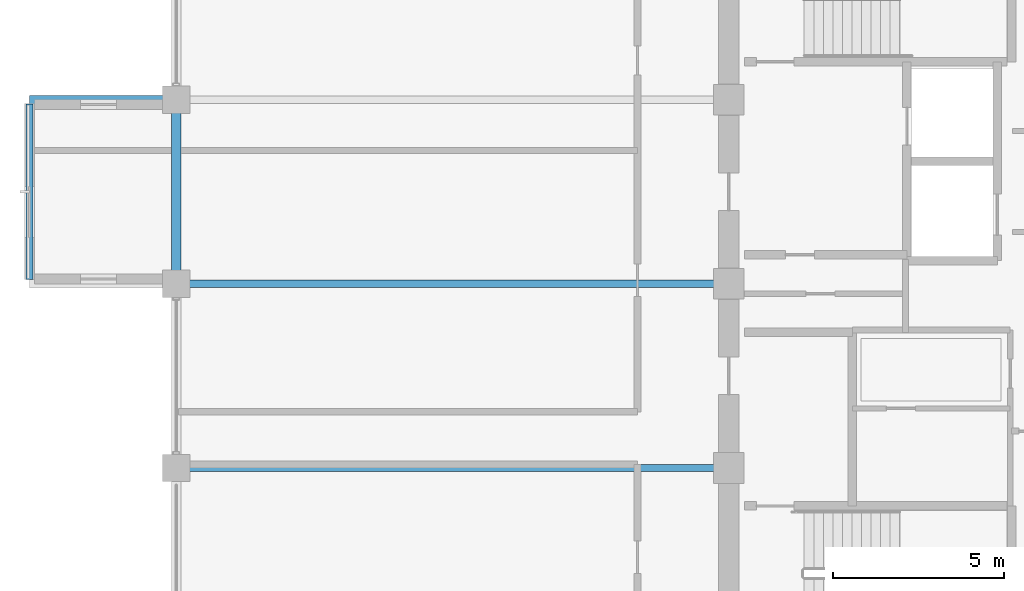
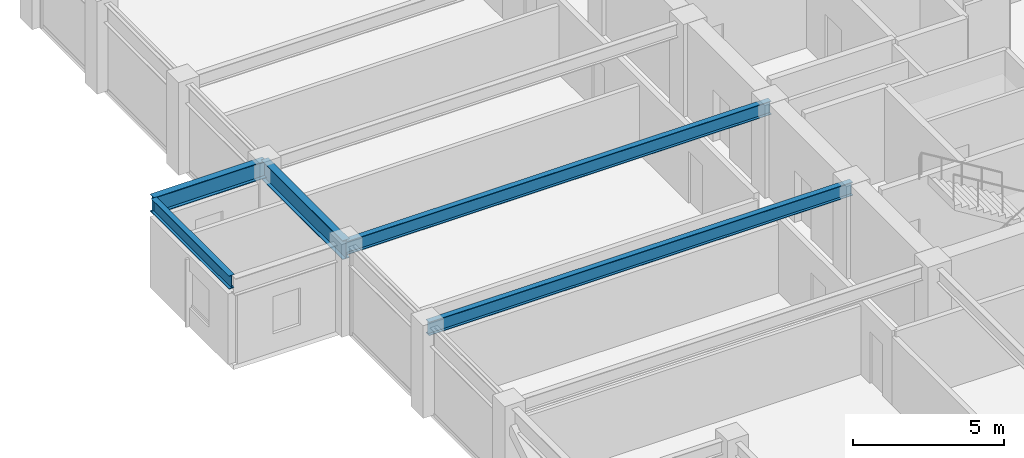
# One storey, part 6 of 28: 5 beams.
"""IFC4 building model written with IfcOpenShell, lengths in metres."""

from ifc_helpers import new_model, si_unit, direction, frame, origin, origin_2d, place, context, subcontext, project, spatial, i_section, extrude, material, material_profile, profile_set, type_object, element, save


model = new_model("IFC4")

# Units and contexts
model_context = context("Model", 3, precision=1e-05, world=origin(), true_north=direction((0.0, 1.0)))
body_context = subcontext(model_context, "Body", "Model", "MODEL_VIEW")
ifc_project = project(units=[si_unit("LENGTHUNIT", "METRE"), si_unit("AREAUNIT", "SQUARE_METRE"), si_unit("VOLUMEUNIT", "CUBIC_METRE"), si_unit("PLANEANGLEUNIT", "RADIAN"), si_unit("MASSUNIT", "GRAM", prefix="KILO")], contexts=[model_context])

# Site, building, storey
site_placement = place(None, origin())
site = spatial("IfcSite", under=ifc_project, at=site_placement, CompositionType="ELEMENT")
building_placement = place(site_placement, origin())
building = spatial("IfcBuilding", under=site, at=building_placement, Name="Surkhivell Harbour Commons", CompositionType="ELEMENT")
storey_placement = place(building_placement, frame((0.0, 0.0, 242.25)))
storey = spatial("IfcBuildingStorey", under=building, at=storey_placement, Name="L63", CompositionType="ELEMENT", Elevation=242.25)

# Beams
ifc_material_1 = material(Name="Steel S460", Category="steel")
ifc_material_profile_1 = material_profile(ifc_material_1, i_section(OverallWidth=0.256103515625, OverallDepth=0.693115234375, WebThickness=0.014404296875, FlangeThickness=0.023681640625, at=origin_2d()), Name="UB686x254x170")
ifc_profile_set_1 = profile_set([ifc_material_profile_1], Name="Steel S460")
beam_type_1 = type_object("IfcBeamType", Name="BM-CNT-686", PredefinedType="BEAM", material=ifc_profile_set_1)
beam_1_placement = place(storey_placement, frame((-27.0, 5.39990234375, 3.223388671875), z_axis=(-1.0, 0.0, 0.0), x_axis=(0.0, -1.0, 0.0)))
element("IfcBeam", 1, at=beam_1_placement, inside=storey, type_object=beam_type_1, Name="L63 Box Cantilever Outrigger (-27.0,5.4)", PredefinedType="BEAM", context=body_context, shape_type="SweptSolid", body=[
    extrude(i_section(OverallWidth=0.256103515625, OverallDepth=0.693115234375, WebThickness=0.014404296875, FlangeThickness=0.023681640625, at=origin_2d()), origin(), (0.0, 0.0, 1.0), 4.300048828125),
])
ifc_material_2 = material(Name="Steel S355", Category="steel")
ifc_material_profile_2 = material_profile(ifc_material_2, i_section(OverallWidth=0.2119140625, OverallDepth=0.5439453125, WebThickness=0.0126953125, FlangeThickness=0.021240234375, at=origin_2d()), Name="UB533x210x122")
ifc_profile_set_2 = profile_set([ifc_material_profile_2], Name="Steel S355")
beam_type_2 = type_object("IfcBeamType", Name="BM-GRD-533A", PredefinedType="BEAM", material=ifc_profile_set_2)
for number, where, z_axis, x_axis, name in (
    (2, (-27.0, 0.0, 3.298095703125), (1.0, 0.0, 0.0), (0.0, 1.0, 0.0), "L63 Cantilever Back-Span Girder (-27.0,0.0)"),
    (3, (-27.0, -5.39990234375, 3.298095703125), (1.0, 0.0, 0.0), (0.0, 1.0, 0.0), "L63 Floor Girder (-27.0,-5.4)"),
):
    element("IfcBeam", number, at=place(storey_placement, frame(where, z_axis=z_axis, x_axis=x_axis)), inside=storey, type_object=beam_type_2, Name=name, PredefinedType="BEAM", context=body_context, shape_type="SweptSolid", body=[
        extrude(i_section(OverallWidth=0.2119140625, OverallDepth=0.5439453125, WebThickness=0.0126953125, FlangeThickness=0.021240234375, at=origin_2d()), origin(), (0.0, 0.0, 1.0), 16.199951171875),
    ])
ifc_material_profile_3 = material_profile(ifc_material_2, i_section(OverallWidth=0.2099609375, OverallDepth=0.537109375, WebThickness=0.0107421875, FlangeThickness=0.017333984375, at=origin_2d()), Name="UB533x210x101")
ifc_profile_set_3 = profile_set([ifc_material_profile_3], Name="Steel S355")
beam_type_3 = type_object("IfcBeamType", Name="BM-GRD-533B", PredefinedType="BEAM", material=ifc_profile_set_3)
beam_2_placement = place(storey_placement, frame((-31.300048828125, 0.1220703125, 3.301513671875), z_axis=(0.0, 1.0, 0.0), x_axis=(-1.0, 0.0, 0.0)))
element("IfcBeam", 4, at=beam_2_placement, inside=storey, type_object=beam_type_3, Name="L63 Box Rim Spandrel (-31.3,0.0)", PredefinedType="BEAM", context=body_context, shape_type="SweptSolid", body=[
    extrude(i_section(OverallWidth=0.2099609375, OverallDepth=0.537109375, WebThickness=0.0107421875, FlangeThickness=0.017333984375, at=origin_2d()), origin(), (0.0, 0.0, 1.0), 5.156005859375),
])
ifc_material_profile_4 = material_profile(ifc_material_2, i_section(OverallWidth=0.26806640625, OverallDepth=0.77001953125, WebThickness=0.015625, FlangeThickness=0.025390625, at=origin_2d()), Name="UB762x267x197")
ifc_profile_set_4 = profile_set([ifc_material_profile_4], Name="Steel S355")
beam_type_4 = type_object("IfcBeamType", Name="BM-SPN-762", PredefinedType="SPANDREL", material=ifc_profile_set_4)
beam_3_placement = place(storey_placement, frame((-27.0, 0.0, 3.18505859375), z_axis=(0.0, 1.0, 0.0), x_axis=(-1.0, 0.0, 0.0)))
element("IfcBeam", 5, at=beam_3_placement, inside=storey, type_object=beam_type_4, Name="L63 Tube Spandrel (-27.0,0.0)", PredefinedType="SPANDREL", context=body_context, shape_type="SweptSolid", body=[
    extrude(i_section(OverallWidth=0.26806640625, OverallDepth=0.77001953125, WebThickness=0.015625, FlangeThickness=0.025390625, at=origin_2d()), origin(), (0.0, 0.0, 1.0), 5.39990234375),
])

save(model, "model.ifc")
